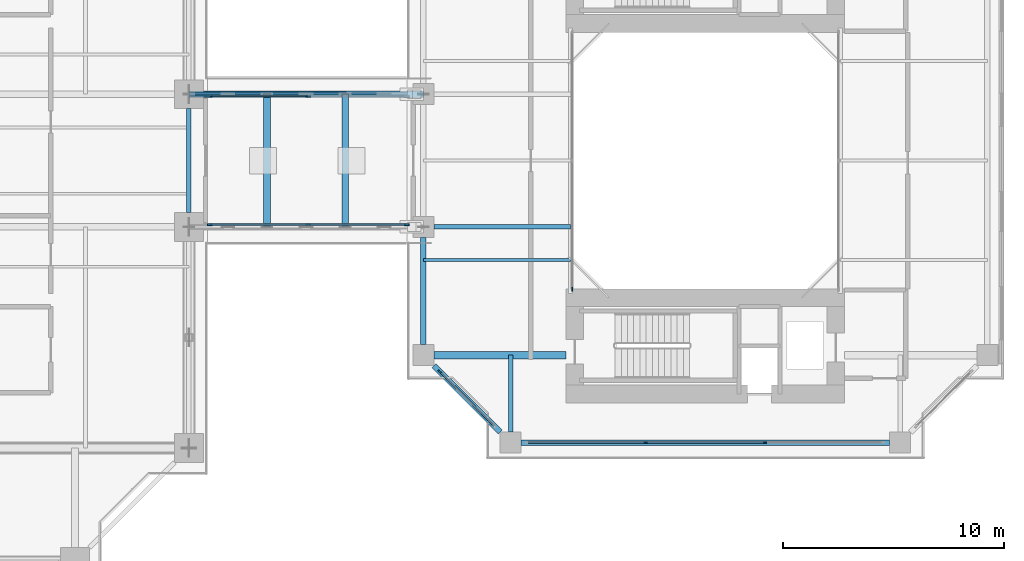
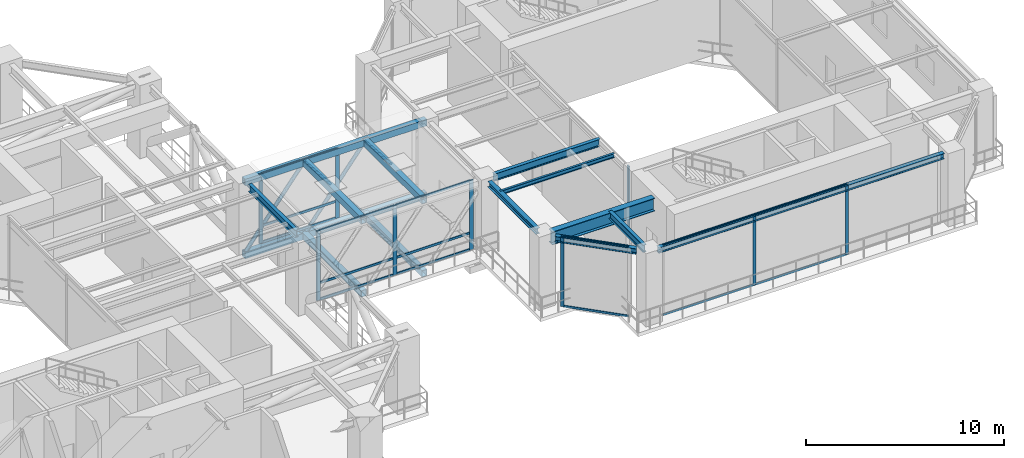
# One storey, part 6 of 26: 37 members, 8 beams, 5 elements without a shape of their own.
"""IFC4 building model written with IfcOpenShell, lengths in metres."""

from ifc_helpers import new_model, si_unit, direction, frame, origin, origin_2d, place, context, subcontext, project, spatial, rectangle, hollow_rectangle, hollow_circle, i_section, extrude, source, transform, mapped, material, layer, layer_set, material_profile, profile_set, type_object, element, aggregate, save


model = new_model("IFC4")

# Units and contexts
model_context = context("Model", 3, precision=1e-05, world=origin(), true_north=direction((0.0, 1.0)))
body_context = subcontext(model_context, "Body", "Model", "MODEL_VIEW")
ifc_project = project(units=[si_unit("LENGTHUNIT", "METRE"), si_unit("AREAUNIT", "SQUARE_METRE"), si_unit("VOLUMEUNIT", "CUBIC_METRE"), si_unit("PLANEANGLEUNIT", "RADIAN"), si_unit("MASSUNIT", "GRAM", prefix="KILO"), si_unit("THERMODYNAMICTEMPERATUREUNIT", "KELVIN"), si_unit("POWERUNIT", "WATT")], contexts=[model_context])

# Site, building, storey
site_placement = place(None, origin())
site = spatial("IfcSite", under=ifc_project, at=site_placement, CompositionType="ELEMENT")
building_placement = place(site_placement, origin())
building = spatial("IfcBuilding", under=site, at=building_placement, Name="Qiaomeng Ring Towers", CompositionType="ELEMENT")
storey_placement = place(building_placement, frame((0.0, 0.0, 45.75)))
storey = spatial("IfcBuildingStorey", under=building, at=storey_placement, Name="L12", CompositionType="ELEMENT", Elevation=45.75)

# Beams
ifc_material_1 = material(Name="Steel Q355B", Category="steel")
ifc_material_profile_1 = material_profile(ifc_material_1, i_section(OverallWidth=0.199951171875, OverallDepth=0.449951171875, WebThickness=0.009033203125, FlangeThickness=0.013916015625, FilletRadius=0.01806640625, at=origin_2d()), Name="HN 450x200x9x14")
ifc_profile_set_1 = profile_set([ifc_material_profile_1], Name="Steel Q355B")
beam_type_1 = type_object("IfcBeamType", Name="STR-BM-HN450", PredefinedType="SPANDREL", material=ifc_profile_set_1)
shared_shape_1 = source(origin(), body_context, "Body", "SweptSolid", [
    extrude(i_section(OverallWidth=0.199951171875, OverallDepth=0.449951171875, WebThickness=0.009033203125, FlangeThickness=0.013916015625, FilletRadius=0.01806640625, at=origin_2d()), origin(), (0.0, 0.0, 1.0), 4.7021484375),
])
beam_1_placement = place(storey_placement, frame((37.14990234375, 20.64892578125, 4.094970703125), z_axis=(0.0, 1.0, 0.0), x_axis=(-1.0, 0.0, 0.0)))
element("IfcBeam", 1, at=beam_1_placement, inside=storey, type_object=beam_type_1, Name="L12 beam STR-SP-L12-T1-E2-E3", PredefinedType="SPANDREL", context=body_context, shape_type="MappedRepresentation", body=[
    mapped(shared_shape_1, transform((0.0, 0.0, 0.0), x_axis=(1.0, 0.0, 0.0), y_axis=(0.0, 1.0, 0.0), z_axis=(0.0, 0.0, 1.0), scale=1.0)),
])
ifc_material_profile_2 = material_profile(ifc_material_1, i_section(OverallWidth=0.25, OverallDepth=0.340087890625, WebThickness=0.009033203125, FlangeThickness=0.013916015625, FilletRadius=0.02001953125, at=origin_2d()), Name="HM 340x250x9x14")
ifc_profile_set_2 = profile_set([ifc_material_profile_2], Name="Steel Q355B")
beam_type_2 = type_object("IfcBeamType", Name="STR-BM-HM340", PredefinedType="SPANDREL", material=ifc_profile_set_2)
shared_shape_2 = source(origin(), body_context, "Body", "SweptSolid", [
    extrude(i_section(OverallWidth=0.25, OverallDepth=0.340087890625, WebThickness=0.009033203125, FlangeThickness=0.013916015625, FilletRadius=0.02001953125, at=origin_2d()), origin(), (0.0, 0.0, 1.0), 16.65185546875),
])
beam_2_placement = place(storey_placement, frame((52.174072265625, 10.25, 4.14990234375), z_axis=(1.0, 0.0, 0.0), x_axis=(0.0, 1.0, 0.0)))
element("IfcBeam", 2, at=beam_2_placement, inside=storey, type_object=beam_type_2, Name="L12 beam STR-SP-L12-T2-S1-S2", PredefinedType="SPANDREL", context=body_context, shape_type="MappedRepresentation", body=[
    mapped(shared_shape_2, transform((0.0, 0.0, 0.0), x_axis=(1.0, 0.0, 0.0), y_axis=(0.0, 1.0, 0.0), z_axis=(0.0, 0.0, 1.0), scale=1.0)),
])
shared_shape_3 = source(origin(), body_context, "Body", "SweptSolid", [
    extrude(i_section(OverallWidth=0.25, OverallDepth=0.340087890625, WebThickness=0.009033203125, FlangeThickness=0.013916015625, FilletRadius=0.02001953125, at=origin_2d()), origin(), (0.0, 0.0, 1.0), 4.244384765625),
])
beam_3_placement = place(storey_placement, frame((48.224365234375, 13.7255859375, 4.14990234375), z_axis=(0.707106781187, -0.707106781187, 0.0), x_axis=(0.707106781187, 0.707106781187, 0.0)))
element("IfcBeam", 3, at=beam_3_placement, inside=storey, type_object=beam_type_2, Name="L12 beam STR-SP-L12-T2-W1-S1", PredefinedType="SPANDREL", context=body_context, shape_type="MappedRepresentation", body=[
    mapped(shared_shape_3, transform((0.0, 0.0, 0.0), x_axis=(1.0, 0.0, 0.0), y_axis=(0.0, 1.0, 0.0), z_axis=(0.0, 0.0, 1.0), scale=1.0)),
])
shared_shape_4 = source(origin(), body_context, "Body", "SweptSolid", [
    extrude(i_section(OverallWidth=0.25, OverallDepth=0.340087890625, WebThickness=0.009033203125, FlangeThickness=0.013916015625, FilletRadius=0.02001953125, at=origin_2d()), origin(), (0.0, 0.0, 1.0), 4.851806640625),
])
beam_4_placement = place(storey_placement, frame((47.75, 19.52587890625, 4.14990234375), z_axis=(0.0, -1.0, 0.0), x_axis=(1.0, 0.0, 0.0)))
element("IfcBeam", 4, at=beam_4_placement, inside=storey, type_object=beam_type_2, Name="L12 beam STR-SP-L12-T2-W2-W1", PredefinedType="SPANDREL", context=body_context, shape_type="MappedRepresentation", body=[
    mapped(shared_shape_4, transform((0.0, 0.0, 0.0), x_axis=(1.0, 0.0, 0.0), y_axis=(0.0, 1.0, 0.0), z_axis=(0.0, 0.0, 1.0), scale=1.0)),
])
ifc_material_2 = material(Name="Steel Q390GJC", Category="steel")
ifc_material_profile_3 = material_profile(ifc_material_2, i_section(OverallWidth=0.35009765625, OverallDepth=0.800048828125, WebThickness=0.01611328125, FlangeThickness=0.028076171875, at=origin_2d()), Name="WH 800x350x16x28")
ifc_profile_set_3 = profile_set([ifc_material_profile_3], Name="Steel Q390GJC")
beam_type_3 = type_object("IfcBeamType", Name="STR-BM-WH800", PredefinedType="BEAM", material=ifc_profile_set_3)
shared_shape_5 = source(origin(), body_context, "Body", "SweptSolid", [
    extrude(i_section(OverallWidth=0.35009765625, OverallDepth=0.800048828125, WebThickness=0.01611328125, FlangeThickness=0.028076171875, at=origin_2d()), origin(), (0.0, 0.0, 1.0), 5.975830078125),
])
beam_5_placement = place(storey_placement, frame((48.22412109375, 14.199951171875, 3.919921875), z_axis=(1.0, 0.0, 0.0), x_axis=(0.0, 1.0, 0.0)))
element("IfcBeam", 5, at=beam_5_placement, inside=storey, type_object=beam_type_3, Name="L12 beam STR-BM-L12-T2-RAD-W1", PredefinedType="BEAM", context=body_context, shape_type="MappedRepresentation", body=[
    mapped(shared_shape_5, transform((0.0, 0.0, 0.0), x_axis=(1.0, 0.0, 0.0), y_axis=(0.0, 1.0, 0.0), z_axis=(0.0, 0.0, 1.0), scale=1.0)),
])
shared_shape_6 = source(origin(), body_context, "Body", "SweptSolid", [
    extrude(i_section(OverallWidth=0.199951171875, OverallDepth=0.449951171875, WebThickness=0.009033203125, FlangeThickness=0.013916015625, FilletRadius=0.01806640625, at=origin_2d()), origin(), (0.0, 0.0, 1.0), 6.17578125),
])
beam_6_placement = place(storey_placement, frame((48.22412109375, 20.0, 4.094970703125), z_axis=(1.0, 0.0, 0.0), x_axis=(0.0, 1.0, 0.0)))
element("IfcBeam", 6, at=beam_6_placement, inside=storey, type_object=beam_type_1, Name="L12 beam STR-BM-L12-T2-RAD-W2", PredefinedType="SPANDREL", context=body_context, shape_type="MappedRepresentation", body=[
    mapped(shared_shape_6, transform((0.0, 0.0, 0.0), x_axis=(1.0, 0.0, 0.0), y_axis=(0.0, 1.0, 0.0), z_axis=(0.0, 0.0, 1.0), scale=1.0)),
])
shared_shape_7 = source(origin(), body_context, "Body", "SweptSolid", [
    extrude(i_section(OverallWidth=0.199951171875, OverallDepth=0.449951171875, WebThickness=0.009033203125, FlangeThickness=0.013916015625, FilletRadius=0.01806640625, at=origin_2d()), origin(), (0.0, 0.0, 1.0), 3.475830078125),
])
beam_7_placement = place(storey_placement, frame((51.699951171875, 10.72412109375, 4.094970703125), z_axis=(0.0, 1.0, 0.0), x_axis=(-1.0, 0.0, 0.0)))
element("IfcBeam", 7, at=beam_7_placement, inside=storey, type_object=beam_type_1, Name="L12 beam STR-BM-L12-T2-RAD-S1", PredefinedType="SPANDREL", context=body_context, shape_type="MappedRepresentation", body=[
    mapped(shared_shape_7, transform((0.0, 0.0, 0.0), x_axis=(1.0, 0.0, 0.0), y_axis=(0.0, 1.0, 0.0), z_axis=(0.0, 0.0, 1.0), scale=1.0)),
])
ifc_material_profile_4 = material_profile(ifc_material_1, i_section(OverallWidth=0.125, OverallDepth=0.25, WebThickness=0.006103515625, FlangeThickness=0.009033203125, FilletRadius=0.011962890625, at=origin_2d()), Name="HN 250x125x6x9")
ifc_profile_set_4 = profile_set([ifc_material_profile_4], Name="Steel Q355B")
beam_type_4 = type_object("IfcBeamType", Name="STR-BM-HN250", PredefinedType="JOIST", material=ifc_profile_set_4)
shared_shape_8 = source(origin(), body_context, "Body", "SweptSolid", [
    extrude(i_section(OverallWidth=0.125, OverallDepth=0.25, WebThickness=0.006103515625, FlangeThickness=0.009033203125, FilletRadius=0.011962890625, at=origin_2d()), origin(), (0.0, 0.0, 1.0), 6.64990234375),
])
beam_8_placement = place(storey_placement, frame((47.75, 18.5, 4.195068359375), z_axis=(1.0, 0.0, 0.0), x_axis=(0.0, 1.0, 0.0)))
element("IfcBeam", 8, at=beam_8_placement, inside=storey, type_object=beam_type_4, Name="L12 beam STR-JST-L12-T2W-1", PredefinedType="JOIST", context=body_context, shape_type="MappedRepresentation", body=[
    mapped(shared_shape_8, transform((0.0, 0.0, 0.0), x_axis=(1.0, 0.0, 0.0), y_axis=(0.0, 1.0, 0.0), z_axis=(0.0, 0.0, 1.0), scale=1.0)),
])

# Members
ifc_material_profile_5 = material_profile(ifc_material_2, hollow_rectangle(XDim=0.300048828125, YDim=0.39990234375, WallThickness=0.02197265625, at=origin_2d()), Name="RHS 400x300x22")
ifc_profile_set_5 = profile_set([ifc_material_profile_5], Name="Steel Q390GJC")
member_type_1 = type_object("IfcMemberType", Name="STR-MB-CHORD-400", PredefinedType="CHORD", material=ifc_profile_set_5)
shared_shape_9 = source(origin(), body_context, "Body", "SweptSolid", [
    extrude(hollow_rectangle(XDim=0.300048828125, YDim=0.39990234375, WallThickness=0.02197265625, at=origin_2d()), origin(), (0.0, 0.0, 1.0), 10.60009765625),
])
for number, where, z_axis, x_axis, name in (
    (9, (37.14990234375, 26.0, -0.429931640625), (1.0, 0.0, 0.0), (0.0, 1.0, 0.0), "Skybridge Bridge SB1 Primary Bottom Chord N"),
    (10, (37.14990234375, 26.0, 4.070068359375), (1.0, 0.0, 0.0), (0.0, 1.0, 0.0), "Skybridge Bridge SB1 Primary Top Chord N"),
):
    element("IfcMember", number, at=place(storey_placement, frame(where, z_axis=z_axis, x_axis=x_axis)), inside=storey, type_object=member_type_1, Name=name, PredefinedType="CHORD", context=body_context, shape_type="MappedRepresentation", body=[
        mapped(shared_shape_9, transform((0.0, 0.0, 0.0), x_axis=(1.0, 0.0, 0.0), y_axis=(0.0, 1.0, 0.0), z_axis=(0.0, 0.0, 1.0), scale=1.0)),
    ])
ifc_material_profile_6 = material_profile(ifc_material_2, hollow_circle(Radius=0.109619140625, WallThickness=0.011962890625, at=origin_2d()), Name="CHS 219x12")
ifc_profile_set_6 = profile_set([ifc_material_profile_6], Name="Steel Q390GJC")
member_type_2 = type_object("IfcMemberType", Name="STR-MB-BR-219", PredefinedType="BRACE", material=ifc_profile_set_6)
shared_shape_10 = source(origin(), body_context, "Body", "SweptSolid", [
    extrude(hollow_circle(Radius=0.109619140625, WallThickness=0.011962890625, at=origin_2d()), origin(), (0.0, 0.0, 1.0), 5.721435546875),
])
member_1_placement = place(storey_placement, frame((37.14990234375, 26.0, -0.429931640625), z_axis=(0.617550136952, 0.0, 0.78653151771), x_axis=(0.0, 1.0, 0.0)))
element("IfcMember", 11, at=member_1_placement, inside=storey, type_object=member_type_2, Name="Skybridge Bridge SB1 Truss Diagonal N-1", PredefinedType="BRACE", context=body_context, shape_type="MappedRepresentation", body=[
    mapped(shared_shape_10, transform((0.0, 0.0, 0.0), x_axis=(1.0, 0.0, 0.0), y_axis=(0.0, 1.0, 0.0), z_axis=(0.0, 0.0, 1.0), scale=1.0)),
])
ifc_material_profile_7 = material_profile(ifc_material_2, hollow_circle(Radius=0.083984375, WallThickness=0.008056640625, at=origin_2d()), Name="CHS 168x8")
ifc_profile_set_7 = profile_set([ifc_material_profile_7], Name="Steel Q390GJC")
member_type_3 = type_object("IfcMemberType", Name="STR-MB-BR-168", PredefinedType="BRACE", material=ifc_profile_set_7)
shared_shape_11 = source(origin(), body_context, "Body", "SweptSolid", [
    extrude(hollow_circle(Radius=0.083984375, WallThickness=0.008056640625, at=origin_2d()), origin(), (0.0, 0.0, 1.0), 2.4599609375),
])
for number, where, z_axis, x_axis, name in (
    (12, (40.68310546875, 26.0, -0.429931640625), (-0.617589227462, 0.0, 0.786500823981), (0.0, -1.0, 0.0), "Skybridge Bridge SB1 Split X-Brace Lower N-1"),
    (13, (45.736083984375, 26.0, 2.135009765625), (-0.617479627468, 0.0, 0.786586873563), (0.0, -1.0, 0.0), "Skybridge Bridge SB1 Split X-Brace Upper N-3"),
):
    element("IfcMember", number, at=place(storey_placement, frame(where, z_axis=z_axis, x_axis=x_axis)), inside=storey, type_object=member_type_3, Name=name, PredefinedType="BRACE", context=body_context, shape_type="MappedRepresentation", body=[
        mapped(shared_shape_11, transform((0.0, 0.0, 0.0), x_axis=(1.0, 0.0, 0.0), y_axis=(0.0, 1.0, 0.0), z_axis=(0.0, 0.0, 1.0), scale=1.0)),
    ])
shared_shape_12 = source(origin(), body_context, "Body", "SweptSolid", [
    extrude(hollow_circle(Radius=0.083984375, WallThickness=0.008056640625, at=origin_2d()), origin(), (0.0, 0.0, 1.0), 2.460205078125),
])
for number, where, z_axis, x_axis, name in (
    (14, (38.669189453125, 26.0, 2.135009765625), (-0.617541024319, 0.0, 0.786538672465), (0.0, -1.0, 0.0), "Skybridge Bridge SB1 Split X-Brace Upper N-1"),
    (15, (44.217041015625, 26.0, -0.429931640625), (-0.617650611909, 0.0, 0.786452618795), (0.0, -1.0, 0.0), "Skybridge Bridge SB1 Split X-Brace Lower N-2"),
):
    element("IfcMember", number, at=place(storey_placement, frame(where, z_axis=z_axis, x_axis=x_axis)), inside=storey, type_object=member_type_3, Name=name, PredefinedType="BRACE", context=body_context, shape_type="MappedRepresentation", body=[
        mapped(shared_shape_12, transform((0.0, 0.0, 0.0), x_axis=(1.0, 0.0, 0.0), y_axis=(0.0, 1.0, 0.0), z_axis=(0.0, 0.0, 1.0), scale=1.0)),
    ])
shared_shape_13 = source(origin(), body_context, "Body", "SweptSolid", [
    extrude(hollow_circle(Radius=0.109619140625, WallThickness=0.011962890625, at=origin_2d()), origin(), (0.0, 0.0, 1.0), 5.7216796875),
])
member_2_placement = place(storey_placement, frame((40.68310546875, 26.0, -0.429931640625), z_axis=(0.617629322455, 0.0, 0.786469338273), x_axis=(0.0, 1.0, 0.0)))
element("IfcMember", 16, at=member_2_placement, inside=storey, type_object=member_type_2, Name="Skybridge Bridge SB1 Truss Diagonal N-2", PredefinedType="BRACE", context=body_context, shape_type="MappedRepresentation", body=[
    mapped(shared_shape_13, transform((0.0, 0.0, 0.0), x_axis=(1.0, 0.0, 0.0), y_axis=(0.0, 1.0, 0.0), z_axis=(0.0, 0.0, 1.0), scale=1.0)),
])
shared_shape_14 = source(origin(), body_context, "Body", "SweptSolid", [
    extrude(hollow_circle(Radius=0.083984375, WallThickness=0.008056640625, at=origin_2d()), origin(), (0.0, 0.0, 1.0), 2.46044921875),
])
member_3_placement = place(storey_placement, frame((42.20263671875, 26.0, 2.135009765625), z_axis=(-0.617602409883, 0.0, 0.786490472483), x_axis=(0.0, -1.0, 0.0)))
element("IfcMember", 17, at=member_3_placement, inside=storey, type_object=member_type_3, Name="Skybridge Bridge SB1 Split X-Brace Upper N-2", PredefinedType="BRACE", context=body_context, shape_type="MappedRepresentation", body=[
    mapped(shared_shape_14, transform((0.0, 0.0, 0.0), x_axis=(1.0, 0.0, 0.0), y_axis=(0.0, 1.0, 0.0), z_axis=(0.0, 0.0, 1.0), scale=1.0)),
])
shared_shape_15 = source(origin(), body_context, "Body", "SweptSolid", [
    extrude(hollow_rectangle(XDim=0.300048828125, YDim=0.39990234375, WallThickness=0.02197265625, at=origin_2d()), origin(), (0.0, 0.0, 1.0), 6.0),
])
for number, where, z_axis, x_axis, name in (
    (18, (40.68310546875, 20.0, -0.429931640625), (0.0, 1.0, 0.0), (-1.0, 0.0, 0.0), "Skybridge Bridge SB1 Deck Cross Beam 1"),
    (19, (40.68310546875, 20.0, 4.070068359375), (0.0, 1.0, 0.0), (-1.0, 0.0, 0.0), "Skybridge Bridge SB1 Canopy Cross Beam 1"),
    (20, (44.217041015625, 20.0, -0.429931640625), (0.0, 1.0, 0.0), (-1.0, 0.0, 0.0), "Skybridge Bridge SB1 Deck Cross Beam 2"),
    (21, (44.217041015625, 20.0, 4.070068359375), (0.0, 1.0, 0.0), (-1.0, 0.0, 0.0), "Skybridge Bridge SB1 Canopy Cross Beam 2"),
):
    element("IfcMember", number, at=place(storey_placement, frame(where, z_axis=z_axis, x_axis=x_axis)), inside=storey, type_object=member_type_1, Name=name, PredefinedType="CHORD", context=body_context, shape_type="MappedRepresentation", body=[
        mapped(shared_shape_15, transform((0.0, 0.0, 0.0), x_axis=(1.0, 0.0, 0.0), y_axis=(0.0, 1.0, 0.0), z_axis=(0.0, 0.0, 1.0), scale=1.0)),
    ])

# Curtain wall, members
ifc_material_3 = material(Name="Fluorocarbon dark-grey aluminium", Category="aluminium")
ifc_layer_1 = layer(ifc_material_3, 0.14990234375, Name="Fluorocarbon dark-grey aluminium")
ifc_layer_set_1 = layer_set([ifc_layer_1], Name="Fluorocarbon dark-grey aluminium")
curtain_wall_type_1 = type_object("IfcCurtainWallType", Name="ARC-CW-5", PredefinedType="NOTDEFINED", material=ifc_layer_set_1)
curtain_wall_1_placement = place(storey_placement, origin())
curtain_wall_1 = element("IfcCurtainWall", 22, at=curtain_wall_1_placement, inside=storey, type_object=curtain_wall_type_1, Name="L12 Curtain Wall CW5", PredefinedType="NOTDEFINED")
ifc_material_profile_8 = material_profile(ifc_material_3, rectangle(XDim=0.06494140625, YDim=0.1298828125, at=origin_2d()), Name="ALU TRAN 65x130")
ifc_profile_set_8 = profile_set([ifc_material_profile_8], Name="Fluorocarbon dark-grey aluminium")
member_type_4 = type_object("IfcMemberType", Name="ARC-CWT-120", PredefinedType="USERDEFINED", material=ifc_profile_set_8)
shared_shape_16 = source(origin(), body_context, "Body", "SweptSolid", [
    extrude(rectangle(XDim=0.06494140625, YDim=0.1298828125, at=origin_2d()), origin(), (0.0, 0.0, 1.0), 5.284912109375),
])
member_4_placement = place(storey_placement, frame((52.485107421875, 10.25, 0.032470703125), z_axis=(1.0, 0.0, 0.0), x_axis=(0.0, 1.0, 0.0)))
member_4 = element("IfcMember", 23, at=member_4_placement, type_object=member_type_4, Name="CW5 transom 1.1", ObjectType="TRANSOM", PredefinedType="USERDEFINED", context=body_context, shape_type="MappedRepresentation", body=[
    mapped(shared_shape_16, transform((0.0, 0.0, 0.0), x_axis=(1.0, 0.0, 0.0), y_axis=(0.0, 1.0, 0.0), z_axis=(0.0, 0.0, 1.0), scale=1.0)),
])
member_5_placement = place(storey_placement, frame((52.485107421875, 10.25, 4.28759765625), z_axis=(1.0, 0.0, 0.0), x_axis=(0.0, 1.0, 0.0)))
member_5 = element("IfcMember", 24, at=member_5_placement, type_object=member_type_4, Name="CW5 transom 1.2", ObjectType="TRANSOM", PredefinedType="USERDEFINED", context=body_context, shape_type="MappedRepresentation", body=[
    mapped(shared_shape_16, transform((0.0, 0.0, 0.0), x_axis=(1.0, 0.0, 0.0), y_axis=(0.0, 1.0, 0.0), z_axis=(0.0, 0.0, 1.0), scale=1.0)),
])
shared_shape_17 = source(origin(), body_context, "Body", "SweptSolid", [
    extrude(rectangle(XDim=0.06494140625, YDim=0.1298828125, at=origin_2d()), origin(), (0.0, 0.0, 1.0), 5.31982421875),
])
member_6_placement = place(storey_placement, frame((57.840087890625, 10.25, 0.032470703125), z_axis=(1.0, 0.0, 0.0), x_axis=(0.0, 1.0, 0.0)))
member_6 = element("IfcMember", 25, at=member_6_placement, type_object=member_type_4, Name="CW5 transom 2.1", ObjectType="TRANSOM", PredefinedType="USERDEFINED", context=body_context, shape_type="MappedRepresentation", body=[
    mapped(shared_shape_17, transform((0.0, 0.0, 0.0), x_axis=(1.0, 0.0, 0.0), y_axis=(0.0, 1.0, 0.0), z_axis=(0.0, 0.0, 1.0), scale=1.0)),
])
member_7_placement = place(storey_placement, frame((57.840087890625, 10.25, 4.28759765625), z_axis=(1.0, 0.0, 0.0), x_axis=(0.0, 1.0, 0.0)))
member_7 = element("IfcMember", 26, at=member_7_placement, type_object=member_type_4, Name="CW5 transom 2.2", ObjectType="TRANSOM", PredefinedType="USERDEFINED", context=body_context, shape_type="MappedRepresentation", body=[
    mapped(shared_shape_17, transform((0.0, 0.0, 0.0), x_axis=(1.0, 0.0, 0.0), y_axis=(0.0, 1.0, 0.0), z_axis=(0.0, 0.0, 1.0), scale=1.0)),
])

curtain_wall_2_placement = place(storey_placement, origin())
curtain_wall_2 = element("IfcCurtainWall", 27, at=curtain_wall_2_placement, inside=storey, type_object=curtain_wall_type_1, Name="L12 Curtain Wall CW5", PredefinedType="NOTDEFINED")
shared_shape_18 = source(origin(), body_context, "Body", "SweptSolid", [
    extrude(rectangle(XDim=0.06494140625, YDim=0.1298828125, at=origin_2d()), origin(), (0.0, 0.0, 1.0), 3.424072265625),
])
member_8_placement = place(storey_placement, frame((48.514404296875, 13.435546875, 0.032470703125), z_axis=(0.707106781187, -0.707106781187, 0.0), x_axis=(0.707106781187, 0.707106781187, 0.0)))
member_8 = element("IfcMember", 28, at=member_8_placement, type_object=member_type_4, Name="CW5 transom 1.1", ObjectType="TRANSOM", PredefinedType="USERDEFINED", context=body_context, shape_type="MappedRepresentation", body=[
    mapped(shared_shape_18, transform((0.0, 0.0, 0.0), x_axis=(1.0, 0.0, 0.0), y_axis=(0.0, 1.0, 0.0), z_axis=(0.0, 0.0, 1.0), scale=1.0)),
])
member_9_placement = place(storey_placement, frame((48.514404296875, 13.435546875, 4.28759765625), z_axis=(0.707106781187, -0.707106781187, 0.0), x_axis=(0.707106781187, 0.707106781187, 0.0)))
member_9 = element("IfcMember", 29, at=member_9_placement, type_object=member_type_4, Name="CW5 transom 1.2", ObjectType="TRANSOM", PredefinedType="USERDEFINED", context=body_context, shape_type="MappedRepresentation", body=[
    mapped(shared_shape_18, transform((0.0, 0.0, 0.0), x_axis=(1.0, 0.0, 0.0), y_axis=(0.0, 1.0, 0.0), z_axis=(0.0, 0.0, 1.0), scale=1.0)),
])

# Curtain wall, member
ifc_layer_2 = layer(ifc_material_3, 0.139892578125, Name="Fluorocarbon dark-grey aluminium")
ifc_layer_set_2 = layer_set([ifc_layer_2], Name="Fluorocarbon dark-grey aluminium")
curtain_wall_type_2 = type_object("IfcCurtainWallType", Name="ARC-CW-4", PredefinedType="NOTDEFINED", material=ifc_layer_set_2)
curtain_wall_3_placement = place(storey_placement, origin())
curtain_wall_3 = element("IfcCurtainWall", 30, at=curtain_wall_3_placement, inside=storey, type_object=curtain_wall_type_2, Name="L12 Curtain Wall CW4", PredefinedType="NOTDEFINED")
ifc_material_profile_9 = material_profile(ifc_material_3, rectangle(XDim=0.06494140625, YDim=0.159912109375, at=origin_2d()), Name="ALU MULL 65x160")
ifc_profile_set_9 = profile_set([ifc_material_profile_9], Name="Fluorocarbon dark-grey aluminium")
member_type_5 = type_object("IfcMemberType", Name="ARC-CWM-140", PredefinedType="MULLION", material=ifc_profile_set_9)
shared_shape_19 = source(origin(), body_context, "Body", "SweptSolid", [
    extrude(rectangle(XDim=0.06494140625, YDim=0.159912109375, at=origin_2d()), origin(), (0.0, 0.0, 1.0), 4.320068359375),
])
member_10_placement = place(storey_placement, frame((54.47998046875, 17.1826171875, 0.0), z_axis=(0.0, 0.0, 1.0), x_axis=(-1.0, 0.0, 0.0)))
member_10 = element("IfcMember", 31, at=member_10_placement, type_object=member_type_5, Name="CW4 mullion 1", PredefinedType="MULLION", context=body_context, shape_type="MappedRepresentation", body=[
    mapped(shared_shape_19, transform((0.0, 0.0, 0.0), x_axis=(1.0, 0.0, 0.0), y_axis=(0.0, 1.0, 0.0), z_axis=(0.0, 0.0, 1.0), scale=1.0)),
])
aggregate(curtain_wall_3, [member_10])

# Curtain wall, members
ifc_layer_3 = layer(ifc_material_3, 0.169921875, Name="Fluorocarbon dark-grey aluminium")
ifc_layer_set_3 = layer_set([ifc_layer_3], Name="Fluorocarbon dark-grey aluminium")
curtain_wall_type_3 = type_object("IfcCurtainWallType", Name="ARC-CW-6", PredefinedType="NOTDEFINED", material=ifc_layer_set_3)
curtain_wall_4_placement = place(storey_placement, origin())
curtain_wall_4 = element("IfcCurtainWall", 32, at=curtain_wall_4_placement, inside=storey, type_object=curtain_wall_type_3, Name="L12 Curtain Wall CW6", PredefinedType="NOTDEFINED")
ifc_material_profile_10 = material_profile(ifc_material_3, rectangle(XDim=0.080078125, YDim=0.219970703125, at=origin_2d()), Name="ALU MULL 80x220")
ifc_profile_set_10 = profile_set([ifc_material_profile_10], Name="Fluorocarbon dark-grey aluminium")
member_type_6 = type_object("IfcMemberType", Name="ARC-CWM-180", PredefinedType="MULLION", material=ifc_profile_set_10)
shared_shape_20 = source(origin(), body_context, "Body", "SweptSolid", [
    extrude(rectangle(XDim=0.080078125, YDim=0.219970703125, at=origin_2d()), origin(), (0.0, 0.0, 1.0), 4.280029296875),
])
member_11_placement = place(storey_placement, frame((38.090087890625, 20.10009765625, 0.0), z_axis=(0.0, 0.0, 1.0), x_axis=(0.0, 1.0, 0.0)))
member_11 = element("IfcMember", 33, at=member_11_placement, type_object=member_type_6, Name="CW6 mullion 1", PredefinedType="MULLION", context=body_context, shape_type="MappedRepresentation", body=[
    mapped(shared_shape_20, transform((0.0, 0.0, 0.0), x_axis=(1.0, 0.0, 0.0), y_axis=(0.0, 1.0, 0.0), z_axis=(0.0, 0.0, 1.0), scale=1.0)),
])
member_12_placement = place(storey_placement, frame((42.54248046875, 20.10009765625, 0.0), z_axis=(0.0, 0.0, 1.0), x_axis=(0.0, 1.0, 0.0)))
member_12 = element("IfcMember", 34, at=member_12_placement, type_object=member_type_6, Name="CW6 mullion 2", PredefinedType="MULLION", context=body_context, shape_type="MappedRepresentation", body=[
    mapped(shared_shape_20, transform((0.0, 0.0, 0.0), x_axis=(1.0, 0.0, 0.0), y_axis=(0.0, 1.0, 0.0), z_axis=(0.0, 0.0, 1.0), scale=1.0)),
])
member_13_placement = place(storey_placement, frame((46.9951171875, 20.10009765625, 0.0), z_axis=(0.0, 0.0, 1.0), x_axis=(0.0, 1.0, 0.0)))
member_13 = element("IfcMember", 35, at=member_13_placement, type_object=member_type_6, Name="CW6 mullion 3", PredefinedType="MULLION", context=body_context, shape_type="MappedRepresentation", body=[
    mapped(shared_shape_20, transform((0.0, 0.0, 0.0), x_axis=(1.0, 0.0, 0.0), y_axis=(0.0, 1.0, 0.0), z_axis=(0.0, 0.0, 1.0), scale=1.0)),
])

curtain_wall_5_placement = place(storey_placement, origin())
curtain_wall_5 = element("IfcCurtainWall", 36, at=curtain_wall_5_placement, inside=storey, type_object=curtain_wall_type_3, Name="L12 Curtain Wall CW6", PredefinedType="NOTDEFINED")
member_14_placement = place(storey_placement, frame((38.090087890625, 25.89990234375, 0.0), z_axis=(0.0, 0.0, 1.0), x_axis=(0.0, 1.0, 0.0)))
member_14 = element("IfcMember", 37, at=member_14_placement, type_object=member_type_6, Name="CW6 mullion 1", PredefinedType="MULLION", context=body_context, shape_type="MappedRepresentation", body=[
    mapped(shared_shape_20, transform((0.0, 0.0, 0.0), x_axis=(1.0, 0.0, 0.0), y_axis=(0.0, 1.0, 0.0), z_axis=(0.0, 0.0, 1.0), scale=1.0)),
])
member_15_placement = place(storey_placement, frame((42.54248046875, 25.89990234375, 0.0), z_axis=(0.0, 0.0, 1.0), x_axis=(0.0, 1.0, 0.0)))
member_15 = element("IfcMember", 38, at=member_15_placement, type_object=member_type_6, Name="CW6 mullion 2", PredefinedType="MULLION", context=body_context, shape_type="MappedRepresentation", body=[
    mapped(shared_shape_20, transform((0.0, 0.0, 0.0), x_axis=(1.0, 0.0, 0.0), y_axis=(0.0, 1.0, 0.0), z_axis=(0.0, 0.0, 1.0), scale=1.0)),
])

# Member
ifc_material_profile_11 = material_profile(ifc_material_3, rectangle(XDim=0.070068359375, YDim=0.139892578125, at=origin_2d()), Name="ALU TRAN 70x140")
ifc_profile_set_11 = profile_set([ifc_material_profile_11], Name="Fluorocarbon dark-grey aluminium")
member_type_7 = type_object("IfcMemberType", Name="ARC-CWT-140", PredefinedType="USERDEFINED", material=ifc_profile_set_11)
shared_shape_21 = source(origin(), body_context, "Body", "SweptSolid", [
    extrude(rectangle(XDim=0.070068359375, YDim=0.139892578125, at=origin_2d()), origin(), (0.0, 0.0, 1.0), 4.37255859375),
])
member_16_placement = place(storey_placement, frame((38.1298828125, 20.10009765625, 0.034912109375), z_axis=(1.0, 0.0, 0.0), x_axis=(0.0, 1.0, 0.0)))
member_16 = element("IfcMember", 39, at=member_16_placement, type_object=member_type_7, Name="CW6 transom 1.1", ObjectType="TRANSOM", PredefinedType="USERDEFINED", context=body_context, shape_type="MappedRepresentation", body=[
    mapped(shared_shape_21, transform((0.0, 0.0, 0.0), x_axis=(1.0, 0.0, 0.0), y_axis=(0.0, 1.0, 0.0), z_axis=(0.0, 0.0, 1.0), scale=1.0)),
])

member_17_placement = place(storey_placement, frame((38.1298828125, 20.10009765625, 1.050048828125), z_axis=(1.0, 0.0, 0.0), x_axis=(0.0, 1.0, 0.0)))
member_17 = element("IfcMember", 40, at=member_17_placement, type_object=member_type_7, Name="CW6 transom 1.2", ObjectType="TRANSOM", PredefinedType="USERDEFINED", context=body_context, shape_type="MappedRepresentation", body=[
    mapped(shared_shape_21, transform((0.0, 0.0, 0.0), x_axis=(1.0, 0.0, 0.0), y_axis=(0.0, 1.0, 0.0), z_axis=(0.0, 0.0, 1.0), scale=1.0)),
])

member_18_placement = place(storey_placement, frame((38.1298828125, 20.10009765625, 4.2451171875), z_axis=(1.0, 0.0, 0.0), x_axis=(0.0, 1.0, 0.0)))
member_18 = element("IfcMember", 41, at=member_18_placement, type_object=member_type_7, Name="CW6 transom 1.3", ObjectType="TRANSOM", PredefinedType="USERDEFINED", context=body_context, shape_type="MappedRepresentation", body=[
    mapped(shared_shape_21, transform((0.0, 0.0, 0.0), x_axis=(1.0, 0.0, 0.0), y_axis=(0.0, 1.0, 0.0), z_axis=(0.0, 0.0, 1.0), scale=1.0)),
])

member_19_placement = place(storey_placement, frame((42.58251953125, 20.10009765625, 0.034912109375), z_axis=(1.0, 0.0, 0.0), x_axis=(0.0, 1.0, 0.0)))
member_19 = element("IfcMember", 42, at=member_19_placement, type_object=member_type_7, Name="CW6 transom 2.1", ObjectType="TRANSOM", PredefinedType="USERDEFINED", context=body_context, shape_type="MappedRepresentation", body=[
    mapped(shared_shape_21, transform((0.0, 0.0, 0.0), x_axis=(1.0, 0.0, 0.0), y_axis=(0.0, 1.0, 0.0), z_axis=(0.0, 0.0, 1.0), scale=1.0)),
])

member_20_placement = place(storey_placement, frame((42.58251953125, 20.10009765625, 1.050048828125), z_axis=(1.0, 0.0, 0.0), x_axis=(0.0, 1.0, 0.0)))
member_20 = element("IfcMember", 43, at=member_20_placement, type_object=member_type_7, Name="CW6 transom 2.2", ObjectType="TRANSOM", PredefinedType="USERDEFINED", context=body_context, shape_type="MappedRepresentation", body=[
    mapped(shared_shape_21, transform((0.0, 0.0, 0.0), x_axis=(1.0, 0.0, 0.0), y_axis=(0.0, 1.0, 0.0), z_axis=(0.0, 0.0, 1.0), scale=1.0)),
])

member_21_placement = place(storey_placement, frame((42.58251953125, 20.10009765625, 4.2451171875), z_axis=(1.0, 0.0, 0.0), x_axis=(0.0, 1.0, 0.0)))
member_21 = element("IfcMember", 44, at=member_21_placement, type_object=member_type_7, Name="CW6 transom 2.3", ObjectType="TRANSOM", PredefinedType="USERDEFINED", context=body_context, shape_type="MappedRepresentation", body=[
    mapped(shared_shape_21, transform((0.0, 0.0, 0.0), x_axis=(1.0, 0.0, 0.0), y_axis=(0.0, 1.0, 0.0), z_axis=(0.0, 0.0, 1.0), scale=1.0)),
])

aggregate(curtain_wall_4, [member_11, member_12, member_13, member_16, member_17, member_18, member_19, member_20, member_21])

member_22_placement = place(storey_placement, frame((38.1298828125, 25.89990234375, 0.034912109375), z_axis=(1.0, 0.0, 0.0), x_axis=(0.0, 1.0, 0.0)))
member_22 = element("IfcMember", 45, at=member_22_placement, type_object=member_type_7, Name="CW6 transom 1.1", ObjectType="TRANSOM", PredefinedType="USERDEFINED", context=body_context, shape_type="MappedRepresentation", body=[
    mapped(shared_shape_21, transform((0.0, 0.0, 0.0), x_axis=(1.0, 0.0, 0.0), y_axis=(0.0, 1.0, 0.0), z_axis=(0.0, 0.0, 1.0), scale=1.0)),
])

member_23_placement = place(storey_placement, frame((38.1298828125, 25.89990234375, 1.050048828125), z_axis=(1.0, 0.0, 0.0), x_axis=(0.0, 1.0, 0.0)))
member_23 = element("IfcMember", 46, at=member_23_placement, type_object=member_type_7, Name="CW6 transom 1.2", ObjectType="TRANSOM", PredefinedType="USERDEFINED", context=body_context, shape_type="MappedRepresentation", body=[
    mapped(shared_shape_21, transform((0.0, 0.0, 0.0), x_axis=(1.0, 0.0, 0.0), y_axis=(0.0, 1.0, 0.0), z_axis=(0.0, 0.0, 1.0), scale=1.0)),
])

member_24_placement = place(storey_placement, frame((38.1298828125, 25.89990234375, 4.2451171875), z_axis=(1.0, 0.0, 0.0), x_axis=(0.0, 1.0, 0.0)))
member_24 = element("IfcMember", 47, at=member_24_placement, type_object=member_type_7, Name="CW6 transom 1.3", ObjectType="TRANSOM", PredefinedType="USERDEFINED", context=body_context, shape_type="MappedRepresentation", body=[
    mapped(shared_shape_21, transform((0.0, 0.0, 0.0), x_axis=(1.0, 0.0, 0.0), y_axis=(0.0, 1.0, 0.0), z_axis=(0.0, 0.0, 1.0), scale=1.0)),
])

aggregate(curtain_wall_5, [member_14, member_15, member_22, member_23, member_24])

ifc_material_profile_12 = material_profile(ifc_material_3, rectangle(XDim=0.070068359375, YDim=0.179931640625, at=origin_2d()), Name="ALU MULL 70x180")
ifc_profile_set_12 = profile_set([ifc_material_profile_12], Name="Fluorocarbon dark-grey aluminium")
member_type_8 = type_object("IfcMemberType", Name="ARC-CWM-160", PredefinedType="MULLION", material=ifc_profile_set_12)
shared_shape_22 = source(origin(), body_context, "Body", "SweptSolid", [
    extrude(rectangle(XDim=0.070068359375, YDim=0.179931640625, at=origin_2d()), origin(), (0.0, 0.0, 1.0), 4.320068359375),
])
member_25_placement = place(storey_placement, frame((48.48974609375, 13.460205078125, 0.0), z_axis=(0.0, 0.0, 1.0), x_axis=(0.707106781187, 0.707106781187, 0.0)))
member_25 = element("IfcMember", 48, at=member_25_placement, type_object=member_type_8, Name="CW5 mullion 1", PredefinedType="MULLION", context=body_context, shape_type="MappedRepresentation", body=[
    mapped(shared_shape_22, transform((0.0, 0.0, 0.0), x_axis=(1.0, 0.0, 0.0), y_axis=(0.0, 1.0, 0.0), z_axis=(0.0, 0.0, 1.0), scale=1.0)),
])

aggregate(curtain_wall_2, [member_25, member_8, member_9])

member_26_placement = place(storey_placement, frame((57.804931640625, 10.25, 0.0), z_axis=(0.0, 0.0, 1.0), x_axis=(0.0, 1.0, 0.0)))
member_26 = element("IfcMember", 49, at=member_26_placement, type_object=member_type_8, Name="CW5 mullion 2", PredefinedType="MULLION", context=body_context, shape_type="MappedRepresentation", body=[
    mapped(shared_shape_22, transform((0.0, 0.0, 0.0), x_axis=(1.0, 0.0, 0.0), y_axis=(0.0, 1.0, 0.0), z_axis=(0.0, 0.0, 1.0), scale=1.0)),
])

member_27_placement = place(storey_placement, frame((63.195068359375, 10.25, 0.0), z_axis=(0.0, 0.0, 1.0), x_axis=(0.0, 1.0, 0.0)))
member_27 = element("IfcMember", 50, at=member_27_placement, type_object=member_type_8, Name="CW5 mullion 3", PredefinedType="MULLION", context=body_context, shape_type="MappedRepresentation", body=[
    mapped(shared_shape_22, transform((0.0, 0.0, 0.0), x_axis=(1.0, 0.0, 0.0), y_axis=(0.0, 1.0, 0.0), z_axis=(0.0, 0.0, 1.0), scale=1.0)),
])

aggregate(curtain_wall_1, [member_26, member_27, member_4, member_5, member_6, member_7])

save(model, "model.ifc")
